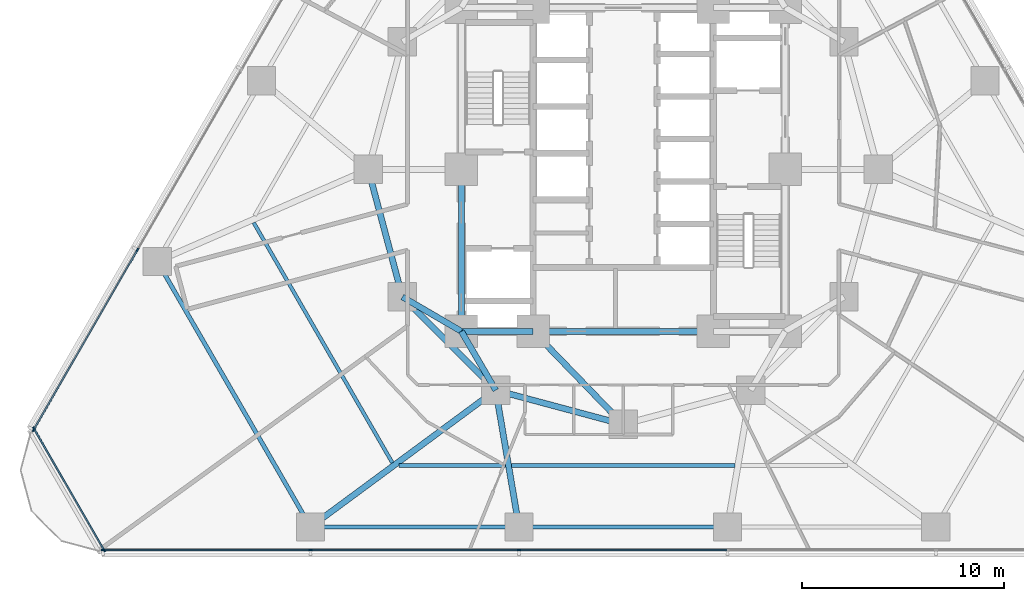
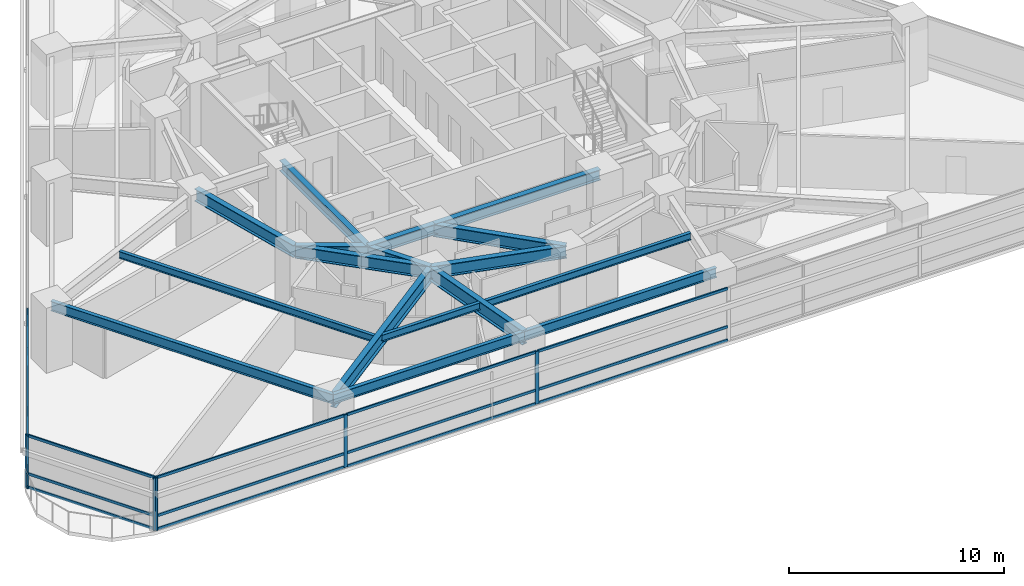
# One storey, part 2 of 16: 22 members, 17 beams, 3 elements without a shape of their own.
"""IFC4 building model written with IfcOpenShell, lengths in metres."""

from ifc_helpers import new_model, si_unit, direction, frame, origin, origin_2d, place, context, subcontext, project, spatial, rectangle, i_section, extrude, material, layer, layer_set, material_profile, profile_set, type_object, element, aggregate, save


model = new_model("IFC4")

# Units and contexts
model_context = context("Model", 3, precision=1e-05, world=origin(), true_north=direction((0.0, 1.0)))
body_context = subcontext(model_context, "Body", "Model", "MODEL_VIEW")
ifc_project = project(units=[si_unit("LENGTHUNIT", "METRE"), si_unit("AREAUNIT", "SQUARE_METRE"), si_unit("VOLUMEUNIT", "CUBIC_METRE"), si_unit("PLANEANGLEUNIT", "RADIAN"), si_unit("MASSUNIT", "GRAM", prefix="KILO")], contexts=[model_context])

# Site, building, storey
site_placement = place(None, origin())
site = spatial("IfcSite", under=ifc_project, at=site_placement, CompositionType="ELEMENT")
building_placement = place(site_placement, origin())
building = spatial("IfcBuilding", under=site, at=building_placement, Name="Terralouvre Media Tower", CompositionType="ELEMENT")
storey_placement = place(building_placement, frame((0.0, 0.0, 37.10009765625)))
storey = spatial("IfcBuildingStorey", under=building, at=storey_placement, Name="L08", CompositionType="ELEMENT", Elevation=37.10009765625)

# Beams
ifc_material_1 = material(Name="Structural steel S355J2", Category="steel")
ifc_material_profile_1 = material_profile(ifc_material_1, i_section(OverallWidth=0.179931640625, OverallDepth=0.39990234375, WebThickness=0.008544921875, FlangeThickness=0.013427734375, at=origin_2d()), Name="IPE 400")
ifc_profile_set_1 = profile_set([ifc_material_profile_1], Name="Structural steel S355J2")
beam_type_1 = type_object("IfcBeamType", Name="Composite Floor Joist J-IPE400 (IPE 400)", PredefinedType="JOIST", material=ifc_profile_set_1)
beam_1_placement = place(storey_placement, frame((-18.2587890625, -2.630615234375, 3.2998046875), z_axis=(0.500011895338, -0.866018535899, 0.0), x_axis=(0.866018535899, 0.500011895338, 0.0)))
element("IfcBeam", 1, at=beam_1_placement, inside=storey, type_object=beam_type_1, Name="L08 Framing Beam JT-L08-01", PredefinedType="JOIST", context=body_context, shape_type="SweptSolid", body=[
    extrude(i_section(OverallWidth=0.179931640625, OverallDepth=0.39990234375, WebThickness=0.008544921875, FlangeThickness=0.013427734375, at=origin_2d()), origin(), (0.0, 0.0, 1.0), 13.702392578125),
])
beam_2_placement = place(storey_placement, frame((-11.08203125, -14.627197265625, 3.2998046875), z_axis=(1.0, 0.0, 0.0), x_axis=(0.0, 1.0, 0.0)))
element("IfcBeam", 2, at=beam_2_placement, inside=storey, type_object=beam_type_1, Name="L08 Framing Beam JT-L08-02", PredefinedType="JOIST", context=body_context, shape_type="SweptSolid", body=[
    extrude(i_section(OverallWidth=0.179931640625, OverallDepth=0.39990234375, WebThickness=0.008544921875, FlangeThickness=0.013427734375, at=origin_2d()), origin(), (0.0, 0.0, 1.0), 5.264404296875),
])
beam_3_placement = place(storey_placement, frame((-5.517333984375, -14.627197265625, 3.2998046875), z_axis=(1.0, 0.0, 0.0), x_axis=(0.0, 1.0, 0.0)))
element("IfcBeam", 3, at=beam_3_placement, inside=storey, type_object=beam_type_1, Name="L08 Framing Beam JT-L08-03", PredefinedType="JOIST", context=body_context, shape_type="SweptSolid", body=[
    extrude(i_section(OverallWidth=0.179931640625, OverallDepth=0.39990234375, WebThickness=0.008544921875, FlangeThickness=0.013427734375, at=origin_2d()), origin(), (0.0, 0.0, 1.0), 11.03466796875),
])

# Curtain wall, members
ifc_material_2 = material(Name="Low-iron laminated double glazing with solar-control coating", Category="glass")
ifc_layer_1 = layer(ifc_material_2, 0.1650390625, Name="Lower Media Tower Unitised Curtain Wall CW-02")
ifc_layer_set_1 = layer_set([ifc_layer_1], Name="Low-iron laminated double glazing with solar-control coating")
curtain_wall_type_1 = type_object("IfcCurtainWallType", Name="Lower Media Tower Unitised Curtain Wall CW-02", PredefinedType="NOTDEFINED", material=ifc_layer_set_1)
curtain_wall_1_placement = place(storey_placement, origin())
curtain_wall_1 = element("IfcCurtainWall", 4, at=curtain_wall_1_placement, inside=storey, type_object=curtain_wall_type_1, Name="L08 Facade Curtain Wall F0", PredefinedType="NOTDEFINED")
ifc_material_3 = material(Name="Anodised extruded aluminium 6063-T6", Category="aluminium")
ifc_material_profile_2 = material_profile(ifc_material_3, rectangle(XDim=0.074951171875, YDim=0.14990234375, at=origin_2d()), Name="ALU 75x150")
ifc_profile_set_2 = profile_set([ifc_material_profile_2], Name="Anodised extruded aluminium 6063-T6")
member_type_1 = type_object("IfcMemberType", Name="Curtain-Wall Horizontal Transom TR-150", PredefinedType="USERDEFINED", material=ifc_profile_set_2)
member_1_placement = place(storey_placement, frame((-25.675048828125, -18.796875, 0.037353515625), z_axis=(1.0, 0.0, 0.0), x_axis=(0.0, 1.0, 0.0)))
member_1 = element("IfcMember", 5, at=member_1_placement, type_object=member_type_1, Name="CW-02 transom 1.1", ObjectType="TRANSOM", PredefinedType="USERDEFINED", context=body_context, shape_type="SweptSolid", body=[
    extrude(rectangle(XDim=0.074951171875, YDim=0.14990234375, at=origin_2d()), origin(), (0.0, 0.0, 1.0), 10.1875),
])
member_2_placement = place(storey_placement, frame((-25.675048828125, -18.796875, 0.7998046875), z_axis=(1.0, 0.0, 0.0), x_axis=(0.0, 1.0, 0.0)))
member_2 = element("IfcMember", 6, at=member_2_placement, type_object=member_type_1, Name="CW-02 transom 1.2", ObjectType="TRANSOM", PredefinedType="USERDEFINED", context=body_context, shape_type="SweptSolid", body=[
    extrude(rectangle(XDim=0.074951171875, YDim=0.14990234375, at=origin_2d()), origin(), (0.0, 0.0, 1.0), 10.1875),
])
member_3_placement = place(storey_placement, frame((-25.675048828125, -18.796875, 2.96240234375), z_axis=(1.0, 0.0, 0.0), x_axis=(0.0, 1.0, 0.0)))
member_3 = element("IfcMember", 7, at=member_3_placement, type_object=member_type_1, Name="CW-02 transom 1.3", ObjectType="TRANSOM", PredefinedType="USERDEFINED", context=body_context, shape_type="SweptSolid", body=[
    extrude(rectangle(XDim=0.074951171875, YDim=0.14990234375, at=origin_2d()), origin(), (0.0, 0.0, 1.0), 10.1875),
])
member_4_placement = place(storey_placement, frame((-15.41259765625, -18.796875, 0.037353515625), z_axis=(1.0, 0.0, 0.0), x_axis=(0.0, 1.0, 0.0)))
member_4 = element("IfcMember", 8, at=member_4_placement, type_object=member_type_1, Name="CW-02 transom 2.1", ObjectType="TRANSOM", PredefinedType="USERDEFINED", context=body_context, shape_type="SweptSolid", body=[
    extrude(rectangle(XDim=0.074951171875, YDim=0.14990234375, at=origin_2d()), origin(), (0.0, 0.0, 1.0), 10.22509765625),
])
member_5_placement = place(storey_placement, frame((-15.41259765625, -18.796875, 0.7998046875), z_axis=(1.0, 0.0, 0.0), x_axis=(0.0, 1.0, 0.0)))
member_5 = element("IfcMember", 9, at=member_5_placement, type_object=member_type_1, Name="CW-02 transom 2.2", ObjectType="TRANSOM", PredefinedType="USERDEFINED", context=body_context, shape_type="SweptSolid", body=[
    extrude(rectangle(XDim=0.074951171875, YDim=0.14990234375, at=origin_2d()), origin(), (0.0, 0.0, 1.0), 10.22509765625),
])
member_6_placement = place(storey_placement, frame((-15.41259765625, -18.796875, 2.96240234375), z_axis=(1.0, 0.0, 0.0), x_axis=(0.0, 1.0, 0.0)))
member_6 = element("IfcMember", 10, at=member_6_placement, type_object=member_type_1, Name="CW-02 transom 2.3", ObjectType="TRANSOM", PredefinedType="USERDEFINED", context=body_context, shape_type="SweptSolid", body=[
    extrude(rectangle(XDim=0.074951171875, YDim=0.14990234375, at=origin_2d()), origin(), (0.0, 0.0, 1.0), 10.22509765625),
])
member_7_placement = place(storey_placement, frame((-5.112548828125, -18.796875, 0.037353515625), z_axis=(1.0, 0.0, 0.0), x_axis=(0.0, 1.0, 0.0)))
member_7 = element("IfcMember", 11, at=member_7_placement, type_object=member_type_1, Name="CW-02 transom 3.1", ObjectType="TRANSOM", PredefinedType="USERDEFINED", context=body_context, shape_type="SweptSolid", body=[
    extrude(rectangle(XDim=0.074951171875, YDim=0.14990234375, at=origin_2d()), origin(), (0.0, 0.0, 1.0), 10.22509765625),
])
member_8_placement = place(storey_placement, frame((-5.112548828125, -18.796875, 0.7998046875), z_axis=(1.0, 0.0, 0.0), x_axis=(0.0, 1.0, 0.0)))
member_8 = element("IfcMember", 12, at=member_8_placement, type_object=member_type_1, Name="CW-02 transom 3.2", ObjectType="TRANSOM", PredefinedType="USERDEFINED", context=body_context, shape_type="SweptSolid", body=[
    extrude(rectangle(XDim=0.074951171875, YDim=0.14990234375, at=origin_2d()), origin(), (0.0, 0.0, 1.0), 10.22509765625),
])
member_9_placement = place(storey_placement, frame((-5.112548828125, -18.796875, 2.96240234375), z_axis=(1.0, 0.0, 0.0), x_axis=(0.0, 1.0, 0.0)))
member_9 = element("IfcMember", 13, at=member_9_placement, type_object=member_type_1, Name="CW-02 transom 3.3", ObjectType="TRANSOM", PredefinedType="USERDEFINED", context=body_context, shape_type="SweptSolid", body=[
    extrude(rectangle(XDim=0.074951171875, YDim=0.14990234375, at=origin_2d()), origin(), (0.0, 0.0, 1.0), 10.22509765625),
])

curtain_wall_2_placement = place(storey_placement, origin())
curtain_wall_2 = element("IfcCurtainWall", 14, at=curtain_wall_2_placement, inside=storey, type_object=curtain_wall_type_1, Name="L08 Facade Curtain Wall F2", PredefinedType="NOTDEFINED")
member_10_placement = place(storey_placement, frame((-24.022216796875, -4.01416015625, 0.037353515625), z_axis=(-0.499994895054, -0.866028351106, 0.0), x_axis=(0.866028351106, -0.499994895054, 0.0)))
member_10 = element("IfcMember", 15, at=member_10_placement, type_object=member_type_1, Name="CW-02 transom 5.1", ObjectType="TRANSOM", PredefinedType="USERDEFINED", context=body_context, shape_type="SweptSolid", body=[
    extrude(rectangle(XDim=0.074951171875, YDim=0.14990234375, at=origin_2d()), origin(), (0.0, 0.0, 1.0), 10.1875),
])
member_11_placement = place(storey_placement, frame((-24.022216796875, -4.01416015625, 0.7998046875), z_axis=(-0.499994895054, -0.866028351106, 0.0), x_axis=(0.866028351106, -0.499994895054, 0.0)))
member_11 = element("IfcMember", 16, at=member_11_placement, type_object=member_type_1, Name="CW-02 transom 5.2", ObjectType="TRANSOM", PredefinedType="USERDEFINED", context=body_context, shape_type="SweptSolid", body=[
    extrude(rectangle(XDim=0.074951171875, YDim=0.14990234375, at=origin_2d()), origin(), (0.0, 0.0, 1.0), 10.1875),
])
member_12_placement = place(storey_placement, frame((-24.022216796875, -4.01416015625, 2.96240234375), z_axis=(-0.499994895054, -0.866028351106, 0.0), x_axis=(0.866028351106, -0.499994895054, 0.0)))
member_12 = element("IfcMember", 17, at=member_12_placement, type_object=member_type_1, Name="CW-02 transom 5.3", ObjectType="TRANSOM", PredefinedType="USERDEFINED", context=body_context, shape_type="SweptSolid", body=[
    extrude(rectangle(XDim=0.074951171875, YDim=0.14990234375, at=origin_2d()), origin(), (0.0, 0.0, 1.0), 10.1875),
])

ifc_material_4 = material(Name="Low-iron laminated double glazing with solar-control coating", Category="glass")
ifc_layer_2 = layer(ifc_material_4, 0.1650390625, Name="Rounded Wind-Corner Curved Glazing CW-04")
ifc_layer_set_2 = layer_set([ifc_layer_2], Name="Low-iron laminated double glazing with solar-control coating")
curtain_wall_type_2 = type_object("IfcCurtainWallType", Name="Rounded Wind-Corner Curved Glazing CW-04", PredefinedType="NOTDEFINED", material=ifc_layer_set_2)
curtain_wall_3_placement = place(storey_placement, origin())
curtain_wall_3 = element("IfcCurtainWall", 18, at=curtain_wall_3_placement, inside=storey, type_object=curtain_wall_type_2, Name="L08 Rounded Wind-Corner Curtain Wall C0", PredefinedType="NOTDEFINED")
member_13_placement = place(storey_placement, frame((-29.0986328125, -12.836669921875, 0.037353515625), z_axis=(0.499998495495, -0.866026272409, 0.0), x_axis=(0.866026272409, 0.499998495495, 0.0)))
member_13 = element("IfcMember", 19, at=member_13_placement, type_object=member_type_1, Name="CW-04 transom 1.1", ObjectType="TRANSOM", PredefinedType="USERDEFINED", context=body_context, shape_type="SweptSolid", body=[
    extrude(rectangle(XDim=0.074951171875, YDim=0.14990234375, at=origin_2d()), origin(), (0.0, 0.0, 1.0), 6.86474609375),
])
member_14_placement = place(storey_placement, frame((-29.0986328125, -12.836669921875, 0.7998046875), z_axis=(0.499998495495, -0.866026272409, 0.0), x_axis=(0.866026272409, 0.499998495495, 0.0)))
member_14 = element("IfcMember", 20, at=member_14_placement, type_object=member_type_1, Name="CW-04 transom 1.2", ObjectType="TRANSOM", PredefinedType="USERDEFINED", context=body_context, shape_type="SweptSolid", body=[
    extrude(rectangle(XDim=0.074951171875, YDim=0.14990234375, at=origin_2d()), origin(), (0.0, 0.0, 1.0), 6.86474609375),
])
member_15_placement = place(storey_placement, frame((-29.0986328125, -12.836669921875, 2.96240234375), z_axis=(0.499998495495, -0.866026272409, 0.0), x_axis=(0.866026272409, 0.499998495495, 0.0)))
member_15 = element("IfcMember", 21, at=member_15_placement, type_object=member_type_1, Name="CW-04 transom 1.3", ObjectType="TRANSOM", PredefinedType="USERDEFINED", context=body_context, shape_type="SweptSolid", body=[
    extrude(rectangle(XDim=0.074951171875, YDim=0.14990234375, at=origin_2d()), origin(), (0.0, 0.0, 1.0), 6.86474609375),
])

# Member
ifc_material_5 = material(Name="Anodised extruded aluminium 6063-T6", Category="aluminium")
ifc_material_profile_3 = material_profile(ifc_material_5, rectangle(XDim=0.074951171875, YDim=0.179931640625, at=origin_2d()), Name="ALU 75x180")
ifc_profile_set_3 = profile_set([ifc_material_profile_3], Name="Anodised extruded aluminium 6063-T6")
member_type_2 = type_object("IfcMemberType", Name="Curtain-Wall Vertical Mullion ML-180", PredefinedType="MULLION", material=ifc_profile_set_3)
member_16_placement = place(storey_placement, frame((-25.71240234375, -18.796875, 0.0), z_axis=(0.0, 0.0, 1.0), x_axis=(0.0, 1.0, 0.0)))
member_16 = element("IfcMember", 22, at=member_16_placement, type_object=member_type_2, Name="CW-02 mullion 1", PredefinedType="MULLION", context=body_context, shape_type="SweptSolid", body=[
    extrude(rectangle(XDim=0.074951171875, YDim=0.179931640625, at=origin_2d()), origin(), (0.0, 0.0, 1.0), 3.0),
])

member_17_placement = place(storey_placement, frame((-15.449951171875, -18.796875, 0.0), z_axis=(0.0, 0.0, 1.0), x_axis=(0.0, 1.0, 0.0)))
member_17 = element("IfcMember", 23, at=member_17_placement, type_object=member_type_2, Name="CW-02 mullion 2", PredefinedType="MULLION", context=body_context, shape_type="SweptSolid", body=[
    extrude(rectangle(XDim=0.074951171875, YDim=0.179931640625, at=origin_2d()), origin(), (0.0, 0.0, 1.0), 3.0),
])

member_18_placement = place(storey_placement, frame((-5.14990234375, -18.796875, 0.0), z_axis=(0.0, 0.0, 1.0), x_axis=(0.0, 1.0, 0.0)))
member_18 = element("IfcMember", 24, at=member_18_placement, type_object=member_type_2, Name="CW-02 mullion 3", PredefinedType="MULLION", context=body_context, shape_type="SweptSolid", body=[
    extrude(rectangle(XDim=0.074951171875, YDim=0.179931640625, at=origin_2d()), origin(), (0.0, 0.0, 1.0), 3.0),
])

aggregate(curtain_wall_1, [member_16, member_17, member_18, member_1, member_2, member_3, member_4, member_5, member_6, member_7, member_8, member_9])

member_19_placement = place(storey_placement, frame((-24.00341796875, -3.981689453125, 0.0), z_axis=(0.0, 0.0, 1.0), x_axis=(0.866025412057, -0.499999985671, 0.0)))
member_19 = element("IfcMember", 25, at=member_19_placement, type_object=member_type_2, Name="CW-02 mullion 5", PredefinedType="MULLION", context=body_context, shape_type="SweptSolid", body=[
    extrude(rectangle(XDim=0.074951171875, YDim=0.179931640625, at=origin_2d()), origin(), (0.0, 0.0, 1.0), 3.0),
])

member_20_placement = place(storey_placement, frame((-29.134765625, -12.869384765625, 0.0), z_axis=(0.0, 0.0, 1.0), x_axis=(0.866025412057, -0.499999985671, 0.0)))
member_20 = element("IfcMember", 26, at=member_20_placement, type_object=member_type_2, Name="CW-02 mullion 6", PredefinedType="MULLION", context=body_context, shape_type="SweptSolid", body=[
    extrude(rectangle(XDim=0.074951171875, YDim=0.179931640625, at=origin_2d()), origin(), (0.0, 0.0, 1.0), 3.0),
])

aggregate(curtain_wall_2, [member_19, member_20, member_10, member_11, member_12])

member_21_placement = place(storey_placement, frame((-29.117431640625, -12.80419921875, 0.0), z_axis=(0.0, 0.0, 1.0), x_axis=(0.866025581895, 0.499999691503, 0.0)))
member_21 = element("IfcMember", 27, at=member_21_placement, type_object=member_type_2, Name="CW-04 mullion 1", PredefinedType="MULLION", context=body_context, shape_type="SweptSolid", body=[
    extrude(rectangle(XDim=0.074951171875, YDim=0.179931640625, at=origin_2d()), origin(), (0.0, 0.0, 1.0), 3.0),
])

member_22_placement = place(storey_placement, frame((-25.6474609375, -18.814208984375, 0.0), z_axis=(0.0, 0.0, 1.0), x_axis=(0.866025581895, 0.499999691503, 0.0)))
member_22 = element("IfcMember", 28, at=member_22_placement, type_object=member_type_2, Name="CW-04 mullion 2", PredefinedType="MULLION", context=body_context, shape_type="SweptSolid", body=[
    extrude(rectangle(XDim=0.074951171875, YDim=0.179931640625, at=origin_2d()), origin(), (0.0, 0.0, 1.0), 3.0),
])

aggregate(curtain_wall_3, [member_21, member_22, member_13, member_14, member_15])

# Beams
ifc_material_6 = material(Name="Structural steel S355J2", Category="steel")
ifc_material_profile_4 = material_profile(ifc_material_6, i_section(OverallWidth=0.2099609375, OverallDepth=0.550048828125, WebThickness=0.010986328125, FlangeThickness=0.01708984375, at=origin_2d()), Name="IPE 550")
ifc_profile_set_4 = profile_set([ifc_material_profile_4], Name="Structural steel S355J2")
beam_type_2 = type_object("IfcBeamType", Name="Perimeter Spandrel Beam SPB-550 (IPE 550)", PredefinedType="SPANDREL", material=ifc_profile_set_4)
beam_4_placement = place(storey_placement, frame((-23.02490234375, -4.546630859375, 3.224853515625), z_axis=(0.500002375365, -0.866024032363, 0.0), x_axis=(0.866024032363, 0.500002375365, 0.0)))
element("IfcBeam", 29, at=beam_4_placement, inside=storey, type_object=beam_type_2, Name="L08 Framing Beam BM-L08-PR01", PredefinedType="SPANDREL", context=body_context, shape_type="SweptSolid", body=[
    extrude(i_section(OverallWidth=0.2099609375, OverallDepth=0.550048828125, WebThickness=0.010986328125, FlangeThickness=0.01708984375, at=origin_2d()), origin(), (0.0, 0.0, 1.0), 15.14990234375),
])
beam_5_placement = place(storey_placement, frame((-15.449951171875, -17.666748046875, 3.224853515625), z_axis=(1.0, 0.0, 0.0), x_axis=(0.0, 1.0, 0.0)))
element("IfcBeam", 30, at=beam_5_placement, inside=storey, type_object=beam_type_2, Name="L08 Framing Beam BM-L08-PR02", PredefinedType="SPANDREL", context=body_context, shape_type="SweptSolid", body=[
    extrude(i_section(OverallWidth=0.2099609375, OverallDepth=0.550048828125, WebThickness=0.010986328125, FlangeThickness=0.01708984375, at=origin_2d()), origin(), (0.0, 0.0, 1.0), 10.300048828125),
])
beam_6_placement = place(storey_placement, frame((-5.14990234375, -17.666748046875, 3.224853515625), z_axis=(1.0, 0.0, 0.0), x_axis=(0.0, 1.0, 0.0)))
element("IfcBeam", 31, at=beam_6_placement, inside=storey, type_object=beam_type_2, Name="L08 Framing Beam BM-L08-PR03", PredefinedType="SPANDREL", context=body_context, shape_type="SweptSolid", body=[
    extrude(i_section(OverallWidth=0.2099609375, OverallDepth=0.550048828125, WebThickness=0.010986328125, FlangeThickness=0.01708984375, at=origin_2d()), origin(), (0.0, 0.0, 1.0), 10.2998046875),
])
ifc_material_7 = material(Name="Structural steel S460M", Category="steel")
ifc_material_profile_5 = material_profile(ifc_material_7, i_section(OverallWidth=0.300048828125, OverallDepth=0.60009765625, WebThickness=0.015380859375, FlangeThickness=0.030029296875, at=origin_2d()), Name="HEB 600")
ifc_profile_set_5 = profile_set([ifc_material_profile_5], Name="Structural steel S460M")
beam_type_3 = type_object("IfcBeamType", Name="Primary Floor Girder B-HEB600 (HEB 600)", PredefinedType="BEAM", material=ifc_profile_set_5)
beam_7_placement = place(storey_placement, frame((-8.0, -8.0, 3.199951171875), z_axis=(1.0, 0.0, 0.0), x_axis=(0.0, 1.0, 0.0)))
element("IfcBeam", 32, at=beam_7_placement, inside=storey, type_object=beam_type_3, Name="L08 Framing Beam BM-L08-CPR01", PredefinedType="BEAM", context=body_context, shape_type="SweptSolid", body=[
    extrude(i_section(OverallWidth=0.300048828125, OverallDepth=0.60009765625, WebThickness=0.015380859375, FlangeThickness=0.030029296875, at=origin_2d()), origin(), (0.0, 0.0, 1.0), 3.550048828125),
])
beam_8_placement = place(storey_placement, frame((-4.449951171875, -8.0, 3.199951171875), z_axis=(1.0, 0.0, 0.0), x_axis=(0.0, 1.0, 0.0)))
element("IfcBeam", 33, at=beam_8_placement, inside=storey, type_object=beam_type_3, Name="L08 Framing Beam BM-L08-CPR02", PredefinedType="BEAM", context=body_context, shape_type="SweptSolid", body=[
    extrude(i_section(OverallWidth=0.300048828125, OverallDepth=0.60009765625, WebThickness=0.015380859375, FlangeThickness=0.030029296875, at=origin_2d()), origin(), (0.0, 0.0, 1.0), 8.89990234375),
])
beam_9_placement = place(storey_placement, frame((-8.0, 0.0, 3.199951171875), z_axis=(0.0, -1.0, 0.0), x_axis=(1.0, 0.0, 0.0)))
element("IfcBeam", 34, at=beam_9_placement, inside=storey, type_object=beam_type_3, Name="L08 Framing Beam BM-L08-CPR10", PredefinedType="BEAM", context=body_context, shape_type="SweptSolid", body=[
    extrude(i_section(OverallWidth=0.300048828125, OverallDepth=0.60009765625, WebThickness=0.015380859375, FlangeThickness=0.030029296875, at=origin_2d()), origin(), (0.0, 0.0, 1.0), 8.0),
])
ifc_material_8 = material(Name="Structural steel S460M", Category="steel")
ifc_material_profile_6 = material_profile(ifc_material_8, i_section(OverallWidth=0.300048828125, OverallDepth=0.699951171875, WebThickness=0.01708984375, FlangeThickness=0.031982421875, at=origin_2d()), Name="HEB 700")
ifc_profile_set_6 = profile_set([ifc_material_profile_6], Name="Structural steel S460M")
beam_type_4 = type_object("IfcBeamType", Name="Primary Floor Girder B-HEB700 (HEB 700)", PredefinedType="BEAM", material=ifc_profile_set_6)
beam_10_placement = place(storey_placement, frame((-10.911865234375, -6.300048828125, 3.14990234375), z_axis=(0.707106781187, -0.707106781187, 0.0), x_axis=(0.707106781187, 0.707106781187, 0.0)))
element("IfcBeam", 35, at=beam_10_placement, inside=storey, type_object=beam_type_4, Name="L08 Framing Beam BM-L08-MR01", PredefinedType="BEAM", context=body_context, shape_type="SweptSolid", body=[
    extrude(i_section(OverallWidth=0.300048828125, OverallDepth=0.699951171875, WebThickness=0.01708984375, FlangeThickness=0.031982421875, at=origin_2d()), origin(), (0.0, 0.0, 1.0), 6.52197265625),
])
for number, where, z_axis, x_axis, name in (
    (36, (-6.300048828125, -10.911865234375, 3.14990234375), (0.965920481897, -0.258838989821, 0.0), (0.258838989821, 0.965920481897, 0.0), "L08 Framing Beam BM-L08-MR02"),
    (37, (-12.60009765625, 0.0, 3.14990234375), (0.258838989821, -0.965920481897, 0.0), (0.965920481897, 0.258838989821, 0.0), "L08 Framing Beam BM-L08-MR12"),
):
    element("IfcBeam", number, at=place(storey_placement, frame(where, z_axis=z_axis, x_axis=x_axis)), inside=storey, type_object=beam_type_4, Name=name, PredefinedType="BEAM", context=body_context, shape_type="SweptSolid", body=[
        extrude(i_section(OverallWidth=0.300048828125, OverallDepth=0.699951171875, WebThickness=0.01708984375, FlangeThickness=0.031982421875, at=origin_2d()), origin(), (0.0, 0.0, 1.0), 6.522216796875),
    ])
for number, where, z_axis, x_axis, name in (
    (38, (-8.0, -8.0, 3.14990234375), (-0.863602894532, 0.504172629717, 0.0), (-0.504172629717, -0.863602894532, 0.0), "L08 Framing Beam BM-L08-CM01"),
    (39, (-8.0, -8.0, 3.14990234375), (0.504172629717, -0.863602894532, 0.0), (0.863602894532, 0.504172629717, 0.0), "L08 Framing Beam BM-L08-CM02"),
):
    element("IfcBeam", number, at=place(storey_placement, frame(where, z_axis=z_axis, x_axis=x_axis)), inside=storey, type_object=beam_type_4, Name=name, PredefinedType="BEAM", context=body_context, shape_type="SweptSolid", body=[
        extrude(i_section(OverallWidth=0.300048828125, OverallDepth=0.699951171875, WebThickness=0.01708984375, FlangeThickness=0.031982421875, at=origin_2d()), origin(), (0.0, 0.0, 1.0), 3.371826171875),
    ])
beam_11_placement = place(storey_placement, frame((-4.449951171875, -8.0, 3.14990234375), z_axis=(0.695279715726, -0.718739255155, 0.0), x_axis=(0.718739255155, 0.695279715726, 0.0)))
element("IfcBeam", 40, at=beam_11_placement, inside=storey, type_object=beam_type_4, Name="L08 Framing Beam BM-L08-CM03", PredefinedType="BEAM", context=body_context, shape_type="SweptSolid", body=[
    extrude(i_section(OverallWidth=0.300048828125, OverallDepth=0.699951171875, WebThickness=0.01708984375, FlangeThickness=0.031982421875, at=origin_2d()), origin(), (0.0, 0.0, 1.0), 6.400146484375),
])
ifc_material_9 = material(Name="Structural steel S460M", Category="steel")
ifc_material_profile_7 = material_profile(ifc_material_9, i_section(OverallWidth=0.300048828125, OverallDepth=0.800048828125, WebThickness=0.017578125, FlangeThickness=0.032958984375, at=origin_2d()), Name="HEB 800")
ifc_profile_set_7 = profile_set([ifc_material_profile_7], Name="Structural steel S460M")
beam_type_5 = type_object("IfcBeamType", Name="Primary Floor Girder B-HEB800 (HEB 800)", PredefinedType="BEAM", material=ifc_profile_set_7)
beam_12_placement = place(storey_placement, frame((-6.300048828125, -10.911865234375, 3.099853515625), z_axis=(-0.804515955091, -0.593931038088, 0.0), x_axis=(0.593931038088, -0.804515955091, 0.0)))
element("IfcBeam", 41, at=beam_12_placement, inside=storey, type_object=beam_type_5, Name="L08 Framing Beam BM-L08-RD02", PredefinedType="BEAM", context=body_context, shape_type="SweptSolid", body=[
    extrude(i_section(OverallWidth=0.300048828125, OverallDepth=0.800048828125, WebThickness=0.017578125, FlangeThickness=0.032958984375, at=origin_2d()), origin(), (0.0, 0.0, 1.0), 11.373291015625),
])
beam_13_placement = place(storey_placement, frame((-6.300048828125, -10.911865234375, 3.099853515625), z_axis=(0.167853129882, -0.98581201392, 0.0), x_axis=(0.98581201392, 0.167853129882, 0.0)))
element("IfcBeam", 42, at=beam_13_placement, inside=storey, type_object=beam_type_5, Name="L08 Framing Beam BM-L08-RD03", PredefinedType="BEAM", context=body_context, shape_type="SweptSolid", body=[
    extrude(i_section(OverallWidth=0.300048828125, OverallDepth=0.800048828125, WebThickness=0.017578125, FlangeThickness=0.032958984375, at=origin_2d()), origin(), (0.0, 0.0, 1.0), 6.85205078125),
])

save(model, "model.ifc")
